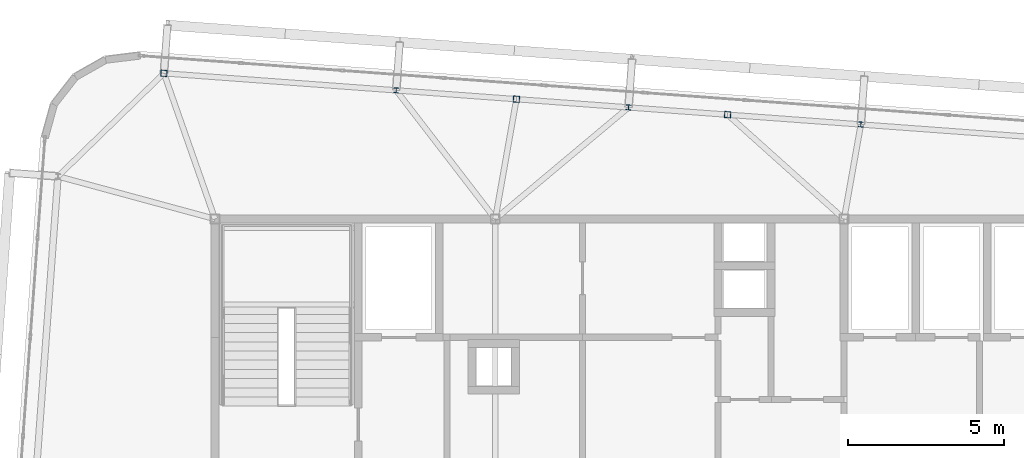
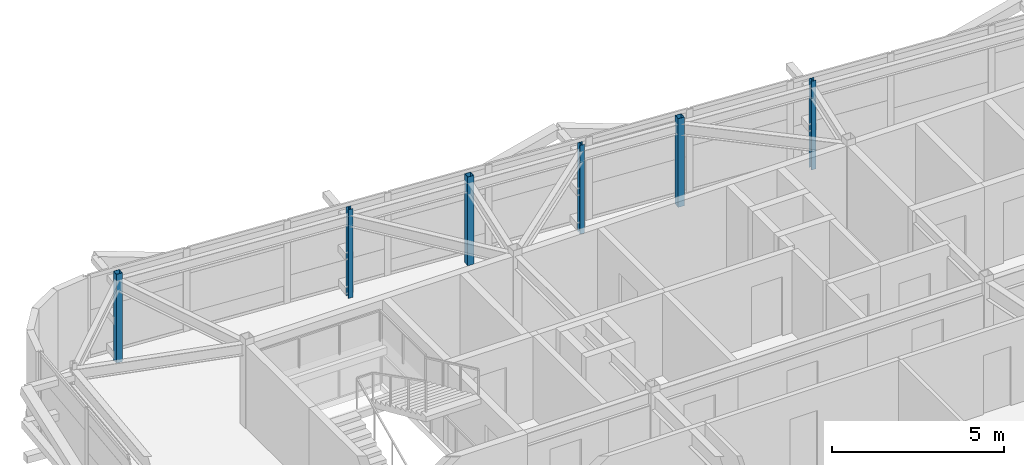
# One storey, part 7 of 42: 6 columns.
"""IFC4 building model written with IfcOpenShell, lengths in metres."""

from ifc_helpers import new_model, si_unit, direction, frame, origin, origin_2d, place, context, subcontext, project, spatial, hollow_rectangle, i_section, extrude, source, transform, mapped, material, material_profile, profile_set, type_object, element, save


model = new_model("IFC4")

# Units and contexts
model_context = context("Model", 3, precision=1e-05, world=origin(), true_north=direction((0.0, 1.0)))
body_context = subcontext(model_context, "Body", "Model", "MODEL_VIEW")
ifc_project = project(units=[si_unit("LENGTHUNIT", "METRE"), si_unit("AREAUNIT", "SQUARE_METRE"), si_unit("VOLUMEUNIT", "CUBIC_METRE"), si_unit("PLANEANGLEUNIT", "RADIAN"), si_unit("MASSUNIT", "GRAM", prefix="KILO")], contexts=[model_context])

# Site, building, storey
site_placement = place(None, origin())
site = spatial("IfcSite", under=ifc_project, at=site_placement, CompositionType="ELEMENT")
building_placement = place(site_placement, origin())
building = spatial("IfcBuilding", under=site, at=building_placement, Name="Taldren Reach Tower", CompositionType="ELEMENT")
storey_placement = place(building_placement, frame((0.0, 0.0, 214.550048828125)))
storey = spatial("IfcBuildingStorey", under=building, at=storey_placement, Name="L65", CompositionType="ELEMENT", Elevation=214.550048828125)

# Columns
ifc_material_1 = material(Name="Steel Gr 350 (C350L0)", Category="steel")
ifc_material_profile_1 = material_profile(ifc_material_1, hollow_rectangle(XDim=0.199951171875, YDim=0.199951171875, WallThickness=0.009033203125, at=origin_2d()), Name="200x200x9.0SHS")
ifc_profile_set_1 = profile_set([ifc_material_profile_1], Name="Steel Gr 350 (C350L0)")
column_type_1 = type_object("IfcColumnType", Name="COL-SHS200", PredefinedType="COLUMN", material=ifc_profile_set_1)
shared_shape_1 = source(origin(), body_context, "Body", "SweptSolid", [
    extrude(hollow_rectangle(XDim=0.199951171875, YDim=0.199951171875, WallThickness=0.009033203125, at=origin_2d()), origin(), (0.0, 0.0, 1.0), 3.14990234375),
])
for number, where, z_axis, x_axis, name in (
    (1, (17.35986328125, 36.678955078125, 0.0), (0.0, 0.0, 1.0), (0.997314477224, -0.073238197128, 0.0), "Block B5 perimeter column N1 L65"),
    (2, (28.67919921875, 35.84765625, 0.0), (0.0, 0.0, 1.0), (0.997314477224, -0.073238197128, 0.0), "Block B5 perimeter column PJN1 L65"),
    (3, (35.4609375, 35.349609375, 0.0), (0.0, 0.0, 1.0), (0.997314477224, -0.073238197128, 0.0), "Block B5 perimeter column PJN2 L65"),
):
    element("IfcColumn", number, at=place(storey_placement, frame(where, z_axis=z_axis, x_axis=x_axis)), inside=storey, type_object=column_type_1, Name=name, PredefinedType="COLUMN", context=body_context, shape_type="MappedRepresentation", body=[
        mapped(shared_shape_1, transform((0.0, 0.0, 0.0), scale=1.0)),
    ])
ifc_material_2 = material(Name="Steel Gr 350 (350PLUS)", Category="steel")
ifc_material_profile_2 = material_profile(ifc_material_2, i_section(OverallWidth=0.154052734375, OverallDepth=0.162109375, WebThickness=0.008056640625, FlangeThickness=0.011474609375, at=origin_2d()), Name="150UC37.2")
ifc_profile_set_2 = profile_set([ifc_material_profile_2], Name="Steel Gr 350 (350PLUS)")
column_type_2 = type_object("IfcColumnType", Name="COL-UC150", PredefinedType="COLUMN", material=ifc_profile_set_2)
shared_shape_2 = source(origin(), body_context, "Body", "SweptSolid", [
    extrude(i_section(OverallWidth=0.154052734375, OverallDepth=0.162109375, WebThickness=0.008056640625, FlangeThickness=0.011474609375, at=origin_2d()), origin(), (0.0, 0.0, 1.0), 3.14990234375),
])
for number, where, z_axis, x_axis, name in (
    (4, (24.819580078125, 36.131103515625, 0.0), (0.0, 0.0, 1.0), (0.997314477224, -0.073238197128, 0.0), "Block B5 perimeter column N2 L65"),
    (5, (32.279541015625, 35.583251953125, 0.0), (0.0, 0.0, 1.0), (0.997314477224, -0.073238197128, 0.0), "Block B5 perimeter column N3 L65"),
    (6, (39.739501953125, 35.035400390625, 0.0), (0.0, 0.0, 1.0), (0.997314477224, -0.073238197128, 0.0), "Block B5 perimeter column N4 L65"),
):
    element("IfcColumn", number, at=place(storey_placement, frame(where, z_axis=z_axis, x_axis=x_axis)), inside=storey, type_object=column_type_2, Name=name, PredefinedType="COLUMN", context=body_context, shape_type="MappedRepresentation", body=[
        mapped(shared_shape_2, transform((0.0, 0.0, 0.0), scale=1.0)),
    ])

save(model, "model.ifc")
